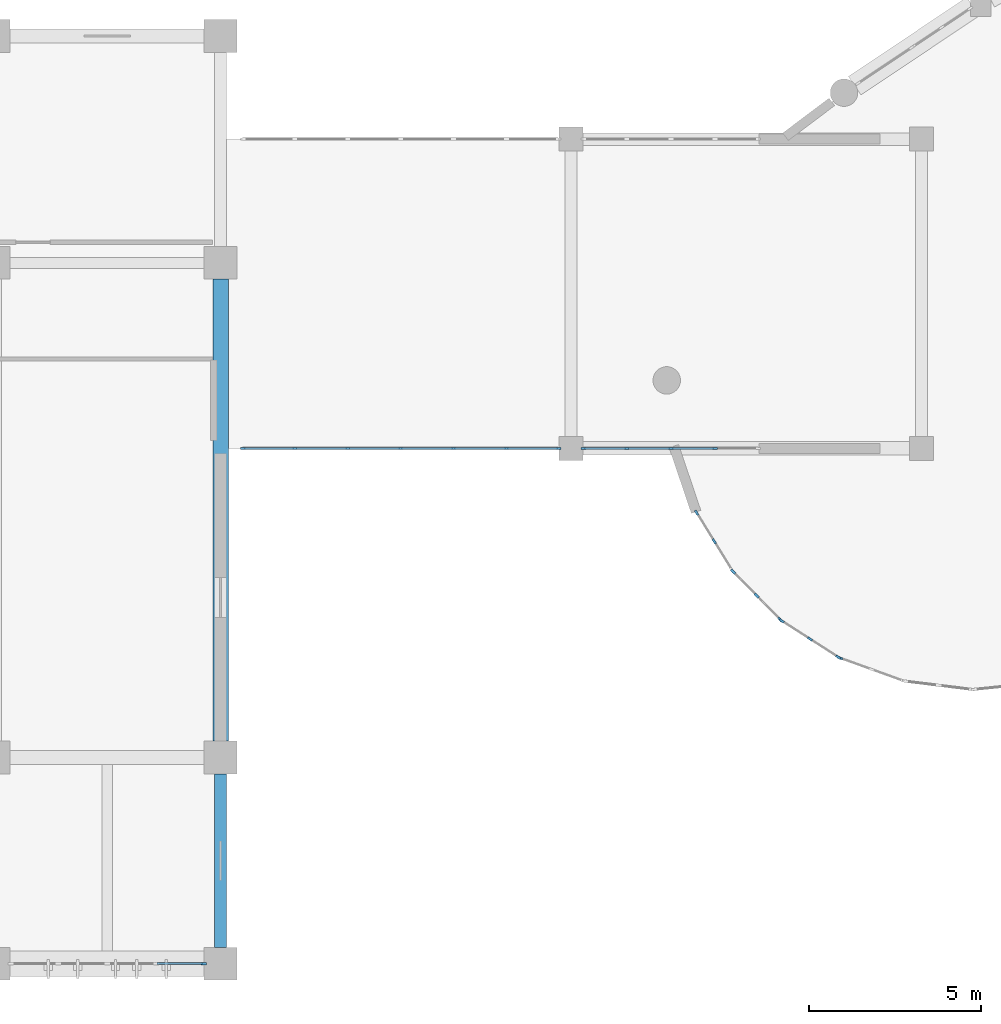
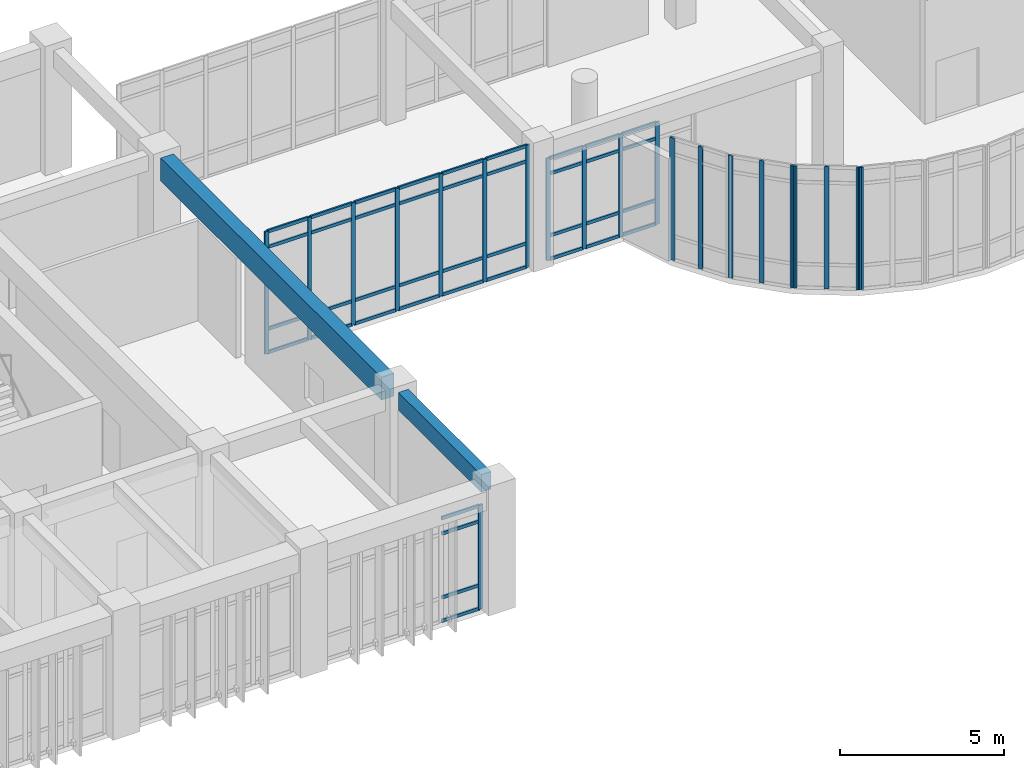
# One storey, part 7 of 65: 61 members, 2 beams, 7 elements without a shape of their own.
"""IFC4 building model written with IfcOpenShell, lengths in metres."""

from ifc_helpers import new_model, si_unit, direction, frame, origin, origin_2d, place, context, subcontext, project, spatial, rectangle, extrude, material, layer, layer_set, material_profile, profile_set, type_object, element, aggregate, save


model = new_model("IFC4")

# Units and contexts
model_context = context("Model", 3, precision=1e-05, world=origin(), true_north=direction((0.0, 1.0)))
body_context = subcontext(model_context, "Body", "Model", "MODEL_VIEW")
ifc_project = project(units=[si_unit("LENGTHUNIT", "METRE"), si_unit("AREAUNIT", "SQUARE_METRE"), si_unit("VOLUMEUNIT", "CUBIC_METRE"), si_unit("PLANEANGLEUNIT", "RADIAN"), si_unit("MASSUNIT", "GRAM", prefix="KILO")], contexts=[model_context])

# Site, building, storey
site_placement = place(None, origin())
site = spatial("IfcSite", under=ifc_project, at=site_placement, CompositionType="ELEMENT")
building_placement = place(site_placement, origin())
building = spatial("IfcBuilding", under=site, at=building_placement, Name="Miralva Faculty of Natural Sciences", CompositionType="ELEMENT")
storey_placement = place(building_placement, frame((0.0, 0.0, 10.199951171875)))
storey = spatial("IfcBuildingStorey", under=building, at=storey_placement, Name="L02", CompositionType="ELEMENT", Elevation=10.199951171875)

# Beams
ifc_material_1 = material(Name="Concrete C40/50", Category="concrete")
ifc_material_profile_1 = material_profile(ifc_material_1, rectangle(XDim=0.449951171875, YDim=0.85009765625, at=origin_2d()), Name="RC 450x850")
ifc_profile_set_1 = profile_set([ifc_material_profile_1], Name="Concrete C40/50")
beam_type_1 = type_object("IfcBeamType", Name="BM-B01", PredefinedType="BEAM", material=ifc_profile_set_1)
beam_1_placement = place(storey_placement, frame((36.0, 9.47509765625, 4.155029296875), z_axis=(0.0, 1.0, 0.0), x_axis=(-1.0, 0.0, 0.0)))
element("IfcBeam", 1, at=beam_1_placement, inside=storey, type_object=beam_type_1, Name="Girder NS L02-116", PredefinedType="BEAM", context=body_context, shape_type="SweptSolid", body=[
    extrude(rectangle(XDim=0.449951171875, YDim=0.85009765625, at=origin_2d()), origin(), (0.0, 0.0, 1.0), 13.449951171875),
])
ifc_material_profile_2 = material_profile(ifc_material_1, rectangle(XDim=0.35009765625, YDim=0.64990234375, at=origin_2d()), Name="RC 350x650")
ifc_profile_set_2 = profile_set([ifc_material_profile_2], Name="Concrete C40/50")
beam_type_2 = type_object("IfcBeamType", Name="BM-B05", PredefinedType="BEAM", material=ifc_profile_set_2)
beam_2_placement = place(storey_placement, frame((36.0, 3.47509765625, 4.255126953125), z_axis=(0.0, 1.0, 0.0), x_axis=(-1.0, 0.0, 0.0)))
element("IfcBeam", 2, at=beam_2_placement, inside=storey, type_object=beam_type_2, Name="Girder NS L02-115", PredefinedType="BEAM", context=body_context, shape_type="SweptSolid", body=[
    extrude(rectangle(XDim=0.35009765625, YDim=0.64990234375, at=origin_2d()), origin(), (0.0, 0.0, 1.0), 5.0498046875),
])

# Curtain wall, member
ifc_material_2 = material(Name="Laminated solar-control glass", Category="glass")
ifc_layer_1 = layer(ifc_material_2, 0.179931640625, Name="CW-RND-L01")
ifc_layer_set_1 = layer_set([ifc_layer_1], Name="Laminated solar-control glass")
curtain_wall_type_1 = type_object("IfcCurtainWallType", Name="CW-RND-L01", PredefinedType="USERDEFINED", material=ifc_layer_set_1)
curtain_wall_1_placement = place(storey_placement, origin())
curtain_wall_1 = element("IfcCurtainWall", 3, at=curtain_wall_1_placement, inside=storey, type_object=curtain_wall_type_1, Name="Curtain wall CW-05 L02-97", ObjectType="UNITISED CURTAIN WALL", PredefinedType="USERDEFINED")
ifc_material_3 = material(Name="Anodised aluminium", Category="aluminium")
ifc_material_profile_3 = material_profile(ifc_material_3, rectangle(XDim=0.06494140625, YDim=0.159912109375, at=origin_2d()), Name="MULLION 65x160")
ifc_profile_set_3 = profile_set([ifc_material_profile_3], Name="Anodised aluminium")
member_type_1 = type_object("IfcMemberType", Name="CW-M02", PredefinedType="MULLION", material=ifc_profile_set_3)
member_1_placement = place(storey_placement, frame((54.030517578125, 11.896240234375, 0.0), z_axis=(0.0, 0.0, 1.0), x_axis=(0.339695547876, 0.940535451088, 0.0)))
member_1 = element("IfcMember", 4, at=member_1_placement, type_object=member_type_1, Name="CW-05 mullion 1", PredefinedType="MULLION", context=body_context, shape_type="SweptSolid", body=[
    extrude(rectangle(XDim=0.06494140625, YDim=0.159912109375, at=origin_2d()), origin(), (0.0, 0.0, 1.0), 4.550048828125),
])
aggregate(curtain_wall_1, [member_1])

# Curtain wall, members
curtain_wall_2_placement = place(storey_placement, origin())
curtain_wall_2 = element("IfcCurtainWall", 5, at=curtain_wall_2_placement, inside=storey, type_object=curtain_wall_type_1, Name="Curtain wall CW-05 L02-98", ObjectType="UNITISED CURTAIN WALL", PredefinedType="USERDEFINED")
member_2_placement = place(storey_placement, frame((52.33154296875, 12.978759765625, 0.0), z_axis=(0.0, 0.0, 1.0), x_axis=(0.540444854725, 0.841379438185, 0.0)))
member_2 = element("IfcMember", 6, at=member_2_placement, type_object=member_type_1, Name="CW-05 mullion 1", PredefinedType="MULLION", context=body_context, shape_type="SweptSolid", body=[
    extrude(rectangle(XDim=0.06494140625, YDim=0.159912109375, at=origin_2d()), origin(), (0.0, 0.0, 1.0), 4.550048828125),
])
member_3_placement = place(storey_placement, frame((53.154296875, 12.450439453125, 0.0), z_axis=(0.0, 0.0, 1.0), x_axis=(0.540444854725, 0.841379438185, 0.0)))
member_3 = element("IfcMember", 7, at=member_3_placement, type_object=member_type_1, Name="CW-05 mullion 2", PredefinedType="MULLION", context=body_context, shape_type="SweptSolid", body=[
    extrude(rectangle(XDim=0.06494140625, YDim=0.159912109375, at=origin_2d()), origin(), (0.0, 0.0, 1.0), 4.550048828125),
])
member_4_placement = place(storey_placement, frame((53.976806640625, 11.922119140625, 0.0), z_axis=(0.0, 0.0, 1.0), x_axis=(0.540444854725, 0.841379438185, 0.0)))
member_4 = element("IfcMember", 8, at=member_4_placement, type_object=member_type_1, Name="CW-05 mullion 3", PredefinedType="MULLION", context=body_context, shape_type="SweptSolid", body=[
    extrude(rectangle(XDim=0.06494140625, YDim=0.159912109375, at=origin_2d()), origin(), (0.0, 0.0, 1.0), 4.550048828125),
])
aggregate(curtain_wall_2, [member_2, member_3, member_4])

curtain_wall_3_placement = place(storey_placement, origin())
curtain_wall_3 = element("IfcCurtainWall", 9, at=curtain_wall_3_placement, inside=storey, type_object=curtain_wall_type_1, Name="Curtain wall CW-05 L02-99", ObjectType="UNITISED CURTAIN WALL", PredefinedType="USERDEFINED")
member_5_placement = place(storey_placement, frame((50.916259765625, 14.412353515625, 0.0), z_axis=(0.0, 0.0, 1.0), x_axis=(0.714124749017, 0.700018458929, 0.0)))
member_5 = element("IfcMember", 10, at=member_5_placement, type_object=member_type_1, Name="CW-05 mullion 1", PredefinedType="MULLION", context=body_context, shape_type="SweptSolid", body=[
    extrude(rectangle(XDim=0.06494140625, YDim=0.159912109375, at=origin_2d()), origin(), (0.0, 0.0, 1.0), 4.550048828125),
])
member_6_placement = place(storey_placement, frame((51.6005859375, 13.714111328125, 0.0), z_axis=(0.0, 0.0, 1.0), x_axis=(0.714124749017, 0.700018458929, 0.0)))
member_6 = element("IfcMember", 11, at=member_6_placement, type_object=member_type_1, Name="CW-05 mullion 2", PredefinedType="MULLION", context=body_context, shape_type="SweptSolid", body=[
    extrude(rectangle(XDim=0.06494140625, YDim=0.159912109375, at=origin_2d()), origin(), (0.0, 0.0, 1.0), 4.550048828125),
])
member_7_placement = place(storey_placement, frame((52.28515625, 13.01611328125, 0.0), z_axis=(0.0, 0.0, 1.0), x_axis=(0.714124749017, 0.700018458929, 0.0)))
member_7 = element("IfcMember", 12, at=member_7_placement, type_object=member_type_1, Name="CW-05 mullion 3", PredefinedType="MULLION", context=body_context, shape_type="SweptSolid", body=[
    extrude(rectangle(XDim=0.06494140625, YDim=0.159912109375, at=origin_2d()), origin(), (0.0, 0.0, 1.0), 4.550048828125),
])
aggregate(curtain_wall_3, [member_5, member_6, member_7])

curtain_wall_4_placement = place(storey_placement, origin())
curtain_wall_4 = element("IfcCurtainWall", 13, at=curtain_wall_4_placement, inside=storey, type_object=curtain_wall_type_1, Name="Curtain wall CW-05 L02-100", ObjectType="UNITISED CURTAIN WALL", PredefinedType="USERDEFINED")
member_8_placement = place(storey_placement, frame((49.855224609375, 16.125, 0.0), z_axis=(0.0, 0.0, 1.0), x_axis=(0.851994617353, 0.523550543884, 0.0)))
member_8 = element("IfcMember", 14, at=member_8_placement, type_object=member_type_1, Name="CW-05 mullion 1", PredefinedType="MULLION", context=body_context, shape_type="SweptSolid", body=[
    extrude(rectangle(XDim=0.06494140625, YDim=0.159912109375, at=origin_2d()), origin(), (0.0, 0.0, 1.0), 4.550048828125),
])
member_9_placement = place(storey_placement, frame((50.3671875, 15.2919921875, 0.0), z_axis=(0.0, 0.0, 1.0), x_axis=(0.851994617353, 0.523550543884, 0.0)))
member_9 = element("IfcMember", 15, at=member_9_placement, type_object=member_type_1, Name="CW-05 mullion 2", PredefinedType="MULLION", context=body_context, shape_type="SweptSolid", body=[
    extrude(rectangle(XDim=0.06494140625, YDim=0.159912109375, at=origin_2d()), origin(), (0.0, 0.0, 1.0), 4.550048828125),
])
aggregate(curtain_wall_4, [member_8, member_9])

# Curtain wall, member
ifc_layer_2 = layer(ifc_material_2, 0.179931640625, Name="CW-TWR-L01")
ifc_layer_set_2 = layer_set([ifc_layer_2], Name="Laminated solar-control glass")
curtain_wall_type_2 = type_object("IfcCurtainWallType", Name="CW-TWR-L01", PredefinedType="USERDEFINED", material=ifc_layer_set_2)
curtain_wall_5_placement = place(storey_placement, origin())
curtain_wall_5 = element("IfcCurtainWall", 16, at=curtain_wall_5_placement, inside=storey, type_object=curtain_wall_type_2, Name="Curtain wall CW-13 L02-222", ObjectType="UNITISED CURTAIN WALL", PredefinedType="USERDEFINED")
member_10_placement = place(storey_placement, frame((35.512451171875, 3.0, 0.0), z_axis=(0.0, 0.0, 1.0), x_axis=(0.0, 1.0, 0.0)))
member_10 = element("IfcMember", 17, at=member_10_placement, type_object=member_type_1, Name="CW-13 mullion 5", PredefinedType="MULLION", context=body_context, shape_type="SweptSolid", body=[
    extrude(rectangle(XDim=0.06494140625, YDim=0.159912109375, at=origin_2d()), origin(), (0.0, 0.0, 1.0), 3.875),
])

# Curtain wall, members
ifc_layer_3 = layer(ifc_material_2, 0.179931640625, Name="CW-COM-L01")
ifc_layer_set_3 = layer_set([ifc_layer_3], Name="Laminated solar-control glass")
curtain_wall_type_3 = type_object("IfcCurtainWallType", Name="CW-COM-L01", PredefinedType="USERDEFINED", material=ifc_layer_set_3)
curtain_wall_6_placement = place(storey_placement, origin())
curtain_wall_6 = element("IfcCurtainWall", 18, at=curtain_wall_6_placement, inside=storey, type_object=curtain_wall_type_3, Name="Curtain wall CW-10 L02-294", ObjectType="UNITISED CURTAIN WALL", PredefinedType="USERDEFINED")
ifc_material_profile_4 = material_profile(ifc_material_3, rectangle(XDim=0.06005859375, YDim=0.139892578125, at=origin_2d()), Name="MULLION 60x140")
ifc_profile_set_4 = profile_set([ifc_material_profile_4], Name="Anodised aluminium")
member_type_2 = type_object("IfcMemberType", Name="CW-M03", PredefinedType="MULLION", material=ifc_profile_set_4)
member_11_placement = place(storey_placement, frame((36.64990234375, 18.0, 0.0), z_axis=(0.0, 0.0, 1.0), x_axis=(0.0, 1.0, 0.0)))
member_11 = element("IfcMember", 19, at=member_11_placement, type_object=member_type_2, Name="CW-10 mullion 1", PredefinedType="MULLION", context=body_context, shape_type="SweptSolid", body=[
    extrude(rectangle(XDim=0.06005859375, YDim=0.139892578125, at=origin_2d()), origin(), (0.0, 0.0, 1.0), 4.550048828125),
])
member_12_placement = place(storey_placement, frame((38.160888671875, 18.0, 0.0), z_axis=(0.0, 0.0, 1.0), x_axis=(0.0, 1.0, 0.0)))
member_12 = element("IfcMember", 20, at=member_12_placement, type_object=member_type_2, Name="CW-10 mullion 2", PredefinedType="MULLION", context=body_context, shape_type="SweptSolid", body=[
    extrude(rectangle(XDim=0.06005859375, YDim=0.139892578125, at=origin_2d()), origin(), (0.0, 0.0, 1.0), 4.550048828125),
])
member_13_placement = place(storey_placement, frame((39.70166015625, 18.0, 0.0), z_axis=(0.0, 0.0, 1.0), x_axis=(0.0, 1.0, 0.0)))
member_13 = element("IfcMember", 21, at=member_13_placement, type_object=member_type_2, Name="CW-10 mullion 3", PredefinedType="MULLION", context=body_context, shape_type="SweptSolid", body=[
    extrude(rectangle(XDim=0.06005859375, YDim=0.139892578125, at=origin_2d()), origin(), (0.0, 0.0, 1.0), 4.550048828125),
])
member_14_placement = place(storey_placement, frame((41.242431640625, 18.0, 0.0), z_axis=(0.0, 0.0, 1.0), x_axis=(0.0, 1.0, 0.0)))
member_14 = element("IfcMember", 22, at=member_14_placement, type_object=member_type_2, Name="CW-10 mullion 4", PredefinedType="MULLION", context=body_context, shape_type="SweptSolid", body=[
    extrude(rectangle(XDim=0.06005859375, YDim=0.139892578125, at=origin_2d()), origin(), (0.0, 0.0, 1.0), 4.550048828125),
])
member_15_placement = place(storey_placement, frame((42.783447265625, 18.0, 0.0), z_axis=(0.0, 0.0, 1.0), x_axis=(0.0, 1.0, 0.0)))
member_15 = element("IfcMember", 23, at=member_15_placement, type_object=member_type_2, Name="CW-10 mullion 5", PredefinedType="MULLION", context=body_context, shape_type="SweptSolid", body=[
    extrude(rectangle(XDim=0.06005859375, YDim=0.139892578125, at=origin_2d()), origin(), (0.0, 0.0, 1.0), 4.550048828125),
])
member_16_placement = place(storey_placement, frame((44.32421875, 18.0, 0.0), z_axis=(0.0, 0.0, 1.0), x_axis=(0.0, 1.0, 0.0)))
member_16 = element("IfcMember", 24, at=member_16_placement, type_object=member_type_2, Name="CW-10 mullion 6", PredefinedType="MULLION", context=body_context, shape_type="SweptSolid", body=[
    extrude(rectangle(XDim=0.06005859375, YDim=0.139892578125, at=origin_2d()), origin(), (0.0, 0.0, 1.0), 4.550048828125),
])
member_17_placement = place(storey_placement, frame((45.8349609375, 18.0, 0.0), z_axis=(0.0, 0.0, 1.0), x_axis=(0.0, 1.0, 0.0)))
member_17 = element("IfcMember", 25, at=member_17_placement, type_object=member_type_2, Name="CW-10 mullion 7", PredefinedType="MULLION", context=body_context, shape_type="SweptSolid", body=[
    extrude(rectangle(XDim=0.06005859375, YDim=0.139892578125, at=origin_2d()), origin(), (0.0, 0.0, 1.0), 4.550048828125),
])

curtain_wall_7_placement = place(storey_placement, origin())
curtain_wall_7 = element("IfcCurtainWall", 26, at=curtain_wall_7_placement, inside=storey, type_object=curtain_wall_type_3, Name="Curtain wall CW-10 L02-295", ObjectType="UNITISED CURTAIN WALL", PredefinedType="USERDEFINED")
member_18_placement = place(storey_placement, frame((46.56494140625, 18.0, 0.0), z_axis=(0.0, 0.0, 1.0), x_axis=(0.0, 1.0, 0.0)))
member_18 = element("IfcMember", 27, at=member_18_placement, type_object=member_type_2, Name="CW-10 mullion 1", PredefinedType="MULLION", context=body_context, shape_type="SweptSolid", body=[
    extrude(rectangle(XDim=0.06005859375, YDim=0.139892578125, at=origin_2d()), origin(), (0.0, 0.0, 1.0), 3.804931640625),
])
member_19_placement = place(storey_placement, frame((47.8212890625, 18.0, 0.0), z_axis=(0.0, 0.0, 1.0), x_axis=(0.0, 1.0, 0.0)))
member_19 = element("IfcMember", 28, at=member_19_placement, type_object=member_type_2, Name="CW-10 mullion 2", PredefinedType="MULLION", context=body_context, shape_type="SweptSolid", body=[
    extrude(rectangle(XDim=0.06005859375, YDim=0.139892578125, at=origin_2d()), origin(), (0.0, 0.0, 1.0), 3.804931640625),
])
member_20_placement = place(storey_placement, frame((49.107421875, 18.0, 0.0), z_axis=(0.0, 0.0, 1.0), x_axis=(0.0, 1.0, 0.0)))
member_20 = element("IfcMember", 29, at=member_20_placement, type_object=member_type_2, Name="CW-10 mullion 3", PredefinedType="MULLION", context=body_context, shape_type="SweptSolid", body=[
    extrude(rectangle(XDim=0.06005859375, YDim=0.139892578125, at=origin_2d()), origin(), (0.0, 0.0, 1.0), 3.804931640625),
])
member_21_placement = place(storey_placement, frame((50.393798828125, 18.0, 0.0), z_axis=(0.0, 0.0, 1.0), x_axis=(0.0, 1.0, 0.0)))
member_21 = element("IfcMember", 30, at=member_21_placement, type_object=member_type_2, Name="CW-10 mullion 4", PredefinedType="MULLION", context=body_context, shape_type="SweptSolid", body=[
    extrude(rectangle(XDim=0.06005859375, YDim=0.139892578125, at=origin_2d()), origin(), (0.0, 0.0, 1.0), 3.804931640625),
])

# Member
ifc_material_profile_5 = material_profile(ifc_material_3, rectangle(XDim=0.06005859375, YDim=0.1201171875, at=origin_2d()), Name="TRANSOM 60x120")
ifc_profile_set_5 = profile_set([ifc_material_profile_5], Name="Anodised aluminium")
member_type_3 = type_object("IfcMemberType", Name="CW-T02", PredefinedType="USERDEFINED", material=ifc_profile_set_5)
member_22_placement = place(storey_placement, frame((34.155029296875, 3.0, 0.030029296875), z_axis=(1.0, 0.0, 0.0), x_axis=(0.0, 1.0, 0.0)))
member_22 = element("IfcMember", 31, at=member_22_placement, type_object=member_type_3, Name="CW-13 transom 4.1", ObjectType="TRANSOM", PredefinedType="USERDEFINED", context=body_context, shape_type="SweptSolid", body=[
    extrude(rectangle(XDim=0.06005859375, YDim=0.1201171875, at=origin_2d()), origin(), (0.0, 0.0, 1.0), 1.324951171875),
])

member_23_placement = place(storey_placement, frame((34.155029296875, 3.0, 0.900146484375), z_axis=(1.0, 0.0, 0.0), x_axis=(0.0, 1.0, 0.0)))
member_23 = element("IfcMember", 32, at=member_23_placement, type_object=member_type_3, Name="CW-13 transom 4.2", ObjectType="TRANSOM", PredefinedType="USERDEFINED", context=body_context, shape_type="SweptSolid", body=[
    extrude(rectangle(XDim=0.06005859375, YDim=0.1201171875, at=origin_2d()), origin(), (0.0, 0.0, 1.0), 1.324951171875),
])

member_24_placement = place(storey_placement, frame((34.155029296875, 3.0, 3.275146484375), z_axis=(1.0, 0.0, 0.0), x_axis=(0.0, 1.0, 0.0)))
member_24 = element("IfcMember", 33, at=member_24_placement, type_object=member_type_3, Name="CW-13 transom 4.3", ObjectType="TRANSOM", PredefinedType="USERDEFINED", context=body_context, shape_type="SweptSolid", body=[
    extrude(rectangle(XDim=0.06005859375, YDim=0.1201171875, at=origin_2d()), origin(), (0.0, 0.0, 1.0), 1.324951171875),
])

member_25_placement = place(storey_placement, frame((34.155029296875, 3.0, 3.844970703125), z_axis=(1.0, 0.0, 0.0), x_axis=(0.0, 1.0, 0.0)))
member_25 = element("IfcMember", 34, at=member_25_placement, type_object=member_type_3, Name="CW-13 transom 4.4", ObjectType="TRANSOM", PredefinedType="USERDEFINED", context=body_context, shape_type="SweptSolid", body=[
    extrude(rectangle(XDim=0.06005859375, YDim=0.1201171875, at=origin_2d()), origin(), (0.0, 0.0, 1.0), 1.324951171875),
])

aggregate(curtain_wall_5, [member_10, member_22, member_23, member_24, member_25])

member_26_placement = place(storey_placement, frame((36.679931640625, 18.0, 0.030029296875), z_axis=(1.0, 0.0, 0.0), x_axis=(0.0, 1.0, 0.0)))
member_26 = element("IfcMember", 35, at=member_26_placement, type_object=member_type_3, Name="CW-10 transom 1.1", ObjectType="TRANSOM", PredefinedType="USERDEFINED", context=body_context, shape_type="SweptSolid", body=[
    extrude(rectangle(XDim=0.06005859375, YDim=0.1201171875, at=origin_2d()), origin(), (0.0, 0.0, 1.0), 1.450927734375),
])

member_27_placement = place(storey_placement, frame((36.679931640625, 18.0, 0.900146484375), z_axis=(1.0, 0.0, 0.0), x_axis=(0.0, 1.0, 0.0)))
member_27 = element("IfcMember", 36, at=member_27_placement, type_object=member_type_3, Name="CW-10 transom 1.2", ObjectType="TRANSOM", PredefinedType="USERDEFINED", context=body_context, shape_type="SweptSolid", body=[
    extrude(rectangle(XDim=0.06005859375, YDim=0.1201171875, at=origin_2d()), origin(), (0.0, 0.0, 1.0), 1.450927734375),
])

member_28_placement = place(storey_placement, frame((36.679931640625, 18.0, 3.949951171875), z_axis=(1.0, 0.0, 0.0), x_axis=(0.0, 1.0, 0.0)))
member_28 = element("IfcMember", 37, at=member_28_placement, type_object=member_type_3, Name="CW-10 transom 1.3", ObjectType="TRANSOM", PredefinedType="USERDEFINED", context=body_context, shape_type="SweptSolid", body=[
    extrude(rectangle(XDim=0.06005859375, YDim=0.1201171875, at=origin_2d()), origin(), (0.0, 0.0, 1.0), 1.450927734375),
])

member_29_placement = place(storey_placement, frame((36.679931640625, 18.0, 4.52001953125), z_axis=(1.0, 0.0, 0.0), x_axis=(0.0, 1.0, 0.0)))
member_29 = element("IfcMember", 38, at=member_29_placement, type_object=member_type_3, Name="CW-10 transom 1.4", ObjectType="TRANSOM", PredefinedType="USERDEFINED", context=body_context, shape_type="SweptSolid", body=[
    extrude(rectangle(XDim=0.06005859375, YDim=0.1201171875, at=origin_2d()), origin(), (0.0, 0.0, 1.0), 1.450927734375),
])

member_30_placement = place(storey_placement, frame((38.19091796875, 18.0, 0.030029296875), z_axis=(1.0, 0.0, 0.0), x_axis=(0.0, 1.0, 0.0)))
member_30 = element("IfcMember", 39, at=member_30_placement, type_object=member_type_3, Name="CW-10 transom 2.1", ObjectType="TRANSOM", PredefinedType="USERDEFINED", context=body_context, shape_type="SweptSolid", body=[
    extrude(rectangle(XDim=0.06005859375, YDim=0.1201171875, at=origin_2d()), origin(), (0.0, 0.0, 1.0), 1.480712890625),
])

member_31_placement = place(storey_placement, frame((38.19091796875, 18.0, 0.900146484375), z_axis=(1.0, 0.0, 0.0), x_axis=(0.0, 1.0, 0.0)))
member_31 = element("IfcMember", 40, at=member_31_placement, type_object=member_type_3, Name="CW-10 transom 2.2", ObjectType="TRANSOM", PredefinedType="USERDEFINED", context=body_context, shape_type="SweptSolid", body=[
    extrude(rectangle(XDim=0.06005859375, YDim=0.1201171875, at=origin_2d()), origin(), (0.0, 0.0, 1.0), 1.480712890625),
])

member_32_placement = place(storey_placement, frame((38.19091796875, 18.0, 3.949951171875), z_axis=(1.0, 0.0, 0.0), x_axis=(0.0, 1.0, 0.0)))
member_32 = element("IfcMember", 41, at=member_32_placement, type_object=member_type_3, Name="CW-10 transom 2.3", ObjectType="TRANSOM", PredefinedType="USERDEFINED", context=body_context, shape_type="SweptSolid", body=[
    extrude(rectangle(XDim=0.06005859375, YDim=0.1201171875, at=origin_2d()), origin(), (0.0, 0.0, 1.0), 1.480712890625),
])

member_33_placement = place(storey_placement, frame((38.19091796875, 18.0, 4.52001953125), z_axis=(1.0, 0.0, 0.0), x_axis=(0.0, 1.0, 0.0)))
member_33 = element("IfcMember", 42, at=member_33_placement, type_object=member_type_3, Name="CW-10 transom 2.4", ObjectType="TRANSOM", PredefinedType="USERDEFINED", context=body_context, shape_type="SweptSolid", body=[
    extrude(rectangle(XDim=0.06005859375, YDim=0.1201171875, at=origin_2d()), origin(), (0.0, 0.0, 1.0), 1.480712890625),
])

member_34_placement = place(storey_placement, frame((39.731689453125, 18.0, 0.030029296875), z_axis=(1.0, 0.0, 0.0), x_axis=(0.0, 1.0, 0.0)))
member_34 = element("IfcMember", 43, at=member_34_placement, type_object=member_type_3, Name="CW-10 transom 3.1", ObjectType="TRANSOM", PredefinedType="USERDEFINED", context=body_context, shape_type="SweptSolid", body=[
    extrude(rectangle(XDim=0.06005859375, YDim=0.1201171875, at=origin_2d()), origin(), (0.0, 0.0, 1.0), 1.480712890625),
])

member_35_placement = place(storey_placement, frame((39.731689453125, 18.0, 0.900146484375), z_axis=(1.0, 0.0, 0.0), x_axis=(0.0, 1.0, 0.0)))
member_35 = element("IfcMember", 44, at=member_35_placement, type_object=member_type_3, Name="CW-10 transom 3.2", ObjectType="TRANSOM", PredefinedType="USERDEFINED", context=body_context, shape_type="SweptSolid", body=[
    extrude(rectangle(XDim=0.06005859375, YDim=0.1201171875, at=origin_2d()), origin(), (0.0, 0.0, 1.0), 1.480712890625),
])

member_36_placement = place(storey_placement, frame((39.731689453125, 18.0, 3.949951171875), z_axis=(1.0, 0.0, 0.0), x_axis=(0.0, 1.0, 0.0)))
member_36 = element("IfcMember", 45, at=member_36_placement, type_object=member_type_3, Name="CW-10 transom 3.3", ObjectType="TRANSOM", PredefinedType="USERDEFINED", context=body_context, shape_type="SweptSolid", body=[
    extrude(rectangle(XDim=0.06005859375, YDim=0.1201171875, at=origin_2d()), origin(), (0.0, 0.0, 1.0), 1.480712890625),
])

member_37_placement = place(storey_placement, frame((39.731689453125, 18.0, 4.52001953125), z_axis=(1.0, 0.0, 0.0), x_axis=(0.0, 1.0, 0.0)))
member_37 = element("IfcMember", 46, at=member_37_placement, type_object=member_type_3, Name="CW-10 transom 3.4", ObjectType="TRANSOM", PredefinedType="USERDEFINED", context=body_context, shape_type="SweptSolid", body=[
    extrude(rectangle(XDim=0.06005859375, YDim=0.1201171875, at=origin_2d()), origin(), (0.0, 0.0, 1.0), 1.480712890625),
])

member_38_placement = place(storey_placement, frame((41.2724609375, 18.0, 0.030029296875), z_axis=(1.0, 0.0, 0.0), x_axis=(0.0, 1.0, 0.0)))
member_38 = element("IfcMember", 47, at=member_38_placement, type_object=member_type_3, Name="CW-10 transom 4.1", ObjectType="TRANSOM", PredefinedType="USERDEFINED", context=body_context, shape_type="SweptSolid", body=[
    extrude(rectangle(XDim=0.06005859375, YDim=0.1201171875, at=origin_2d()), origin(), (0.0, 0.0, 1.0), 1.48095703125),
])

member_39_placement = place(storey_placement, frame((41.2724609375, 18.0, 0.900146484375), z_axis=(1.0, 0.0, 0.0), x_axis=(0.0, 1.0, 0.0)))
member_39 = element("IfcMember", 48, at=member_39_placement, type_object=member_type_3, Name="CW-10 transom 4.2", ObjectType="TRANSOM", PredefinedType="USERDEFINED", context=body_context, shape_type="SweptSolid", body=[
    extrude(rectangle(XDim=0.06005859375, YDim=0.1201171875, at=origin_2d()), origin(), (0.0, 0.0, 1.0), 1.48095703125),
])

member_40_placement = place(storey_placement, frame((41.2724609375, 18.0, 3.949951171875), z_axis=(1.0, 0.0, 0.0), x_axis=(0.0, 1.0, 0.0)))
member_40 = element("IfcMember", 49, at=member_40_placement, type_object=member_type_3, Name="CW-10 transom 4.3", ObjectType="TRANSOM", PredefinedType="USERDEFINED", context=body_context, shape_type="SweptSolid", body=[
    extrude(rectangle(XDim=0.06005859375, YDim=0.1201171875, at=origin_2d()), origin(), (0.0, 0.0, 1.0), 1.48095703125),
])

member_41_placement = place(storey_placement, frame((41.2724609375, 18.0, 4.52001953125), z_axis=(1.0, 0.0, 0.0), x_axis=(0.0, 1.0, 0.0)))
member_41 = element("IfcMember", 50, at=member_41_placement, type_object=member_type_3, Name="CW-10 transom 4.4", ObjectType="TRANSOM", PredefinedType="USERDEFINED", context=body_context, shape_type="SweptSolid", body=[
    extrude(rectangle(XDim=0.06005859375, YDim=0.1201171875, at=origin_2d()), origin(), (0.0, 0.0, 1.0), 1.48095703125),
])

member_42_placement = place(storey_placement, frame((42.813232421875, 18.0, 0.030029296875), z_axis=(1.0, 0.0, 0.0), x_axis=(0.0, 1.0, 0.0)))
member_42 = element("IfcMember", 51, at=member_42_placement, type_object=member_type_3, Name="CW-10 transom 5.1", ObjectType="TRANSOM", PredefinedType="USERDEFINED", context=body_context, shape_type="SweptSolid", body=[
    extrude(rectangle(XDim=0.06005859375, YDim=0.1201171875, at=origin_2d()), origin(), (0.0, 0.0, 1.0), 1.48095703125),
])

member_43_placement = place(storey_placement, frame((42.813232421875, 18.0, 0.900146484375), z_axis=(1.0, 0.0, 0.0), x_axis=(0.0, 1.0, 0.0)))
member_43 = element("IfcMember", 52, at=member_43_placement, type_object=member_type_3, Name="CW-10 transom 5.2", ObjectType="TRANSOM", PredefinedType="USERDEFINED", context=body_context, shape_type="SweptSolid", body=[
    extrude(rectangle(XDim=0.06005859375, YDim=0.1201171875, at=origin_2d()), origin(), (0.0, 0.0, 1.0), 1.48095703125),
])

member_44_placement = place(storey_placement, frame((42.813232421875, 18.0, 3.949951171875), z_axis=(1.0, 0.0, 0.0), x_axis=(0.0, 1.0, 0.0)))
member_44 = element("IfcMember", 53, at=member_44_placement, type_object=member_type_3, Name="CW-10 transom 5.3", ObjectType="TRANSOM", PredefinedType="USERDEFINED", context=body_context, shape_type="SweptSolid", body=[
    extrude(rectangle(XDim=0.06005859375, YDim=0.1201171875, at=origin_2d()), origin(), (0.0, 0.0, 1.0), 1.48095703125),
])

member_45_placement = place(storey_placement, frame((42.813232421875, 18.0, 4.52001953125), z_axis=(1.0, 0.0, 0.0), x_axis=(0.0, 1.0, 0.0)))
member_45 = element("IfcMember", 54, at=member_45_placement, type_object=member_type_3, Name="CW-10 transom 5.4", ObjectType="TRANSOM", PredefinedType="USERDEFINED", context=body_context, shape_type="SweptSolid", body=[
    extrude(rectangle(XDim=0.06005859375, YDim=0.1201171875, at=origin_2d()), origin(), (0.0, 0.0, 1.0), 1.48095703125),
])

member_46_placement = place(storey_placement, frame((44.354248046875, 18.0, 0.030029296875), z_axis=(1.0, 0.0, 0.0), x_axis=(0.0, 1.0, 0.0)))
member_46 = element("IfcMember", 55, at=member_46_placement, type_object=member_type_3, Name="CW-10 transom 6.1", ObjectType="TRANSOM", PredefinedType="USERDEFINED", context=body_context, shape_type="SweptSolid", body=[
    extrude(rectangle(XDim=0.06005859375, YDim=0.1201171875, at=origin_2d()), origin(), (0.0, 0.0, 1.0), 1.45068359375),
])

member_47_placement = place(storey_placement, frame((44.354248046875, 18.0, 0.900146484375), z_axis=(1.0, 0.0, 0.0), x_axis=(0.0, 1.0, 0.0)))
member_47 = element("IfcMember", 56, at=member_47_placement, type_object=member_type_3, Name="CW-10 transom 6.2", ObjectType="TRANSOM", PredefinedType="USERDEFINED", context=body_context, shape_type="SweptSolid", body=[
    extrude(rectangle(XDim=0.06005859375, YDim=0.1201171875, at=origin_2d()), origin(), (0.0, 0.0, 1.0), 1.45068359375),
])

member_48_placement = place(storey_placement, frame((44.354248046875, 18.0, 3.949951171875), z_axis=(1.0, 0.0, 0.0), x_axis=(0.0, 1.0, 0.0)))
member_48 = element("IfcMember", 57, at=member_48_placement, type_object=member_type_3, Name="CW-10 transom 6.3", ObjectType="TRANSOM", PredefinedType="USERDEFINED", context=body_context, shape_type="SweptSolid", body=[
    extrude(rectangle(XDim=0.06005859375, YDim=0.1201171875, at=origin_2d()), origin(), (0.0, 0.0, 1.0), 1.45068359375),
])

member_49_placement = place(storey_placement, frame((44.354248046875, 18.0, 4.52001953125), z_axis=(1.0, 0.0, 0.0), x_axis=(0.0, 1.0, 0.0)))
member_49 = element("IfcMember", 58, at=member_49_placement, type_object=member_type_3, Name="CW-10 transom 6.4", ObjectType="TRANSOM", PredefinedType="USERDEFINED", context=body_context, shape_type="SweptSolid", body=[
    extrude(rectangle(XDim=0.06005859375, YDim=0.1201171875, at=origin_2d()), origin(), (0.0, 0.0, 1.0), 1.45068359375),
])

aggregate(curtain_wall_6, [member_11, member_12, member_13, member_14, member_15, member_16, member_17, member_26, member_27, member_28, member_29, member_30, member_31, member_32, member_33, member_34, member_35, member_36, member_37, member_38, member_39, member_40, member_41, member_42, member_43, member_44, member_45, member_46, member_47, member_48, member_49])

member_50_placement = place(storey_placement, frame((46.594970703125, 18.0, 0.030029296875), z_axis=(1.0, 0.0, 0.0), x_axis=(0.0, 1.0, 0.0)))
member_50 = element("IfcMember", 59, at=member_50_placement, type_object=member_type_3, Name="CW-10 transom 1.1", ObjectType="TRANSOM", PredefinedType="USERDEFINED", context=body_context, shape_type="SweptSolid", body=[
    extrude(rectangle(XDim=0.06005859375, YDim=0.1201171875, at=origin_2d()), origin(), (0.0, 0.0, 1.0), 1.1962890625),
])

member_51_placement = place(storey_placement, frame((46.594970703125, 18.0, 0.900146484375), z_axis=(1.0, 0.0, 0.0), x_axis=(0.0, 1.0, 0.0)))
member_51 = element("IfcMember", 60, at=member_51_placement, type_object=member_type_3, Name="CW-10 transom 1.2", ObjectType="TRANSOM", PredefinedType="USERDEFINED", context=body_context, shape_type="SweptSolid", body=[
    extrude(rectangle(XDim=0.06005859375, YDim=0.1201171875, at=origin_2d()), origin(), (0.0, 0.0, 1.0), 1.1962890625),
])

member_52_placement = place(storey_placement, frame((46.594970703125, 18.0, 3.205078125), z_axis=(1.0, 0.0, 0.0), x_axis=(0.0, 1.0, 0.0)))
member_52 = element("IfcMember", 61, at=member_52_placement, type_object=member_type_3, Name="CW-10 transom 1.3", ObjectType="TRANSOM", PredefinedType="USERDEFINED", context=body_context, shape_type="SweptSolid", body=[
    extrude(rectangle(XDim=0.06005859375, YDim=0.1201171875, at=origin_2d()), origin(), (0.0, 0.0, 1.0), 1.1962890625),
])

member_53_placement = place(storey_placement, frame((46.594970703125, 18.0, 3.775146484375), z_axis=(1.0, 0.0, 0.0), x_axis=(0.0, 1.0, 0.0)))
member_53 = element("IfcMember", 62, at=member_53_placement, type_object=member_type_3, Name="CW-10 transom 1.4", ObjectType="TRANSOM", PredefinedType="USERDEFINED", context=body_context, shape_type="SweptSolid", body=[
    extrude(rectangle(XDim=0.06005859375, YDim=0.1201171875, at=origin_2d()), origin(), (0.0, 0.0, 1.0), 1.1962890625),
])

member_54_placement = place(storey_placement, frame((47.851318359375, 18.0, 0.030029296875), z_axis=(1.0, 0.0, 0.0), x_axis=(0.0, 1.0, 0.0)))
member_54 = element("IfcMember", 63, at=member_54_placement, type_object=member_type_3, Name="CW-10 transom 2.1", ObjectType="TRANSOM", PredefinedType="USERDEFINED", context=body_context, shape_type="SweptSolid", body=[
    extrude(rectangle(XDim=0.06005859375, YDim=0.1201171875, at=origin_2d()), origin(), (0.0, 0.0, 1.0), 1.22607421875),
])

member_55_placement = place(storey_placement, frame((47.851318359375, 18.0, 0.900146484375), z_axis=(1.0, 0.0, 0.0), x_axis=(0.0, 1.0, 0.0)))
member_55 = element("IfcMember", 64, at=member_55_placement, type_object=member_type_3, Name="CW-10 transom 2.2", ObjectType="TRANSOM", PredefinedType="USERDEFINED", context=body_context, shape_type="SweptSolid", body=[
    extrude(rectangle(XDim=0.06005859375, YDim=0.1201171875, at=origin_2d()), origin(), (0.0, 0.0, 1.0), 1.22607421875),
])

member_56_placement = place(storey_placement, frame((47.851318359375, 18.0, 3.205078125), z_axis=(1.0, 0.0, 0.0), x_axis=(0.0, 1.0, 0.0)))
member_56 = element("IfcMember", 65, at=member_56_placement, type_object=member_type_3, Name="CW-10 transom 2.3", ObjectType="TRANSOM", PredefinedType="USERDEFINED", context=body_context, shape_type="SweptSolid", body=[
    extrude(rectangle(XDim=0.06005859375, YDim=0.1201171875, at=origin_2d()), origin(), (0.0, 0.0, 1.0), 1.22607421875),
])

member_57_placement = place(storey_placement, frame((47.851318359375, 18.0, 3.775146484375), z_axis=(1.0, 0.0, 0.0), x_axis=(0.0, 1.0, 0.0)))
member_57 = element("IfcMember", 66, at=member_57_placement, type_object=member_type_3, Name="CW-10 transom 2.4", ObjectType="TRANSOM", PredefinedType="USERDEFINED", context=body_context, shape_type="SweptSolid", body=[
    extrude(rectangle(XDim=0.06005859375, YDim=0.1201171875, at=origin_2d()), origin(), (0.0, 0.0, 1.0), 1.22607421875),
])

member_58_placement = place(storey_placement, frame((49.137451171875, 18.0, 0.030029296875), z_axis=(1.0, 0.0, 0.0), x_axis=(0.0, 1.0, 0.0)))
member_58 = element("IfcMember", 67, at=member_58_placement, type_object=member_type_3, Name="CW-10 transom 3.1", ObjectType="TRANSOM", PredefinedType="USERDEFINED", context=body_context, shape_type="SweptSolid", body=[
    extrude(rectangle(XDim=0.06005859375, YDim=0.1201171875, at=origin_2d()), origin(), (0.0, 0.0, 1.0), 1.226318359375),
])

member_59_placement = place(storey_placement, frame((49.137451171875, 18.0, 0.900146484375), z_axis=(1.0, 0.0, 0.0), x_axis=(0.0, 1.0, 0.0)))
member_59 = element("IfcMember", 68, at=member_59_placement, type_object=member_type_3, Name="CW-10 transom 3.2", ObjectType="TRANSOM", PredefinedType="USERDEFINED", context=body_context, shape_type="SweptSolid", body=[
    extrude(rectangle(XDim=0.06005859375, YDim=0.1201171875, at=origin_2d()), origin(), (0.0, 0.0, 1.0), 1.226318359375),
])

member_60_placement = place(storey_placement, frame((49.137451171875, 18.0, 3.205078125), z_axis=(1.0, 0.0, 0.0), x_axis=(0.0, 1.0, 0.0)))
member_60 = element("IfcMember", 69, at=member_60_placement, type_object=member_type_3, Name="CW-10 transom 3.3", ObjectType="TRANSOM", PredefinedType="USERDEFINED", context=body_context, shape_type="SweptSolid", body=[
    extrude(rectangle(XDim=0.06005859375, YDim=0.1201171875, at=origin_2d()), origin(), (0.0, 0.0, 1.0), 1.226318359375),
])

member_61_placement = place(storey_placement, frame((49.137451171875, 18.0, 3.775146484375), z_axis=(1.0, 0.0, 0.0), x_axis=(0.0, 1.0, 0.0)))
member_61 = element("IfcMember", 70, at=member_61_placement, type_object=member_type_3, Name="CW-10 transom 3.4", ObjectType="TRANSOM", PredefinedType="USERDEFINED", context=body_context, shape_type="SweptSolid", body=[
    extrude(rectangle(XDim=0.06005859375, YDim=0.1201171875, at=origin_2d()), origin(), (0.0, 0.0, 1.0), 1.226318359375),
])

aggregate(curtain_wall_7, [member_18, member_19, member_20, member_21, member_50, member_51, member_52, member_53, member_54, member_55, member_56, member_57, member_58, member_59, member_60, member_61])

save(model, "model.ifc")
